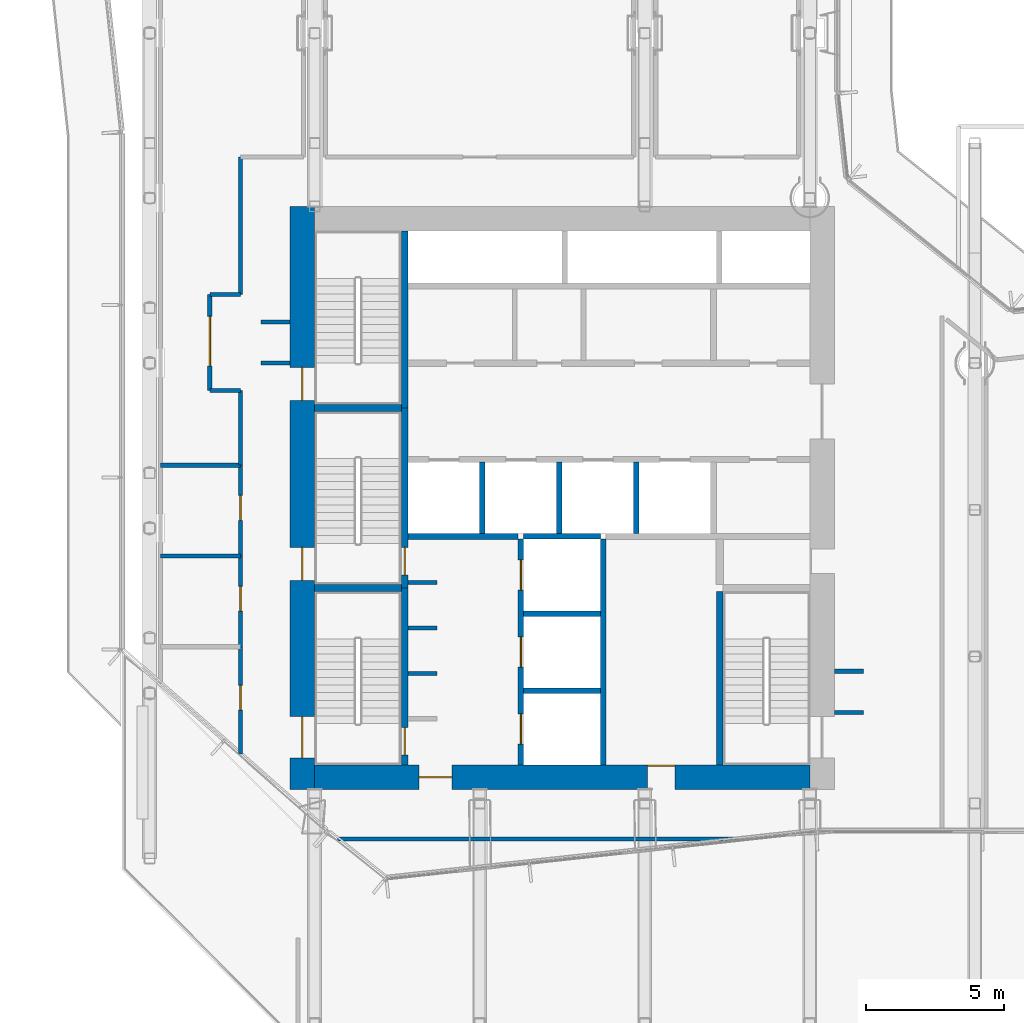
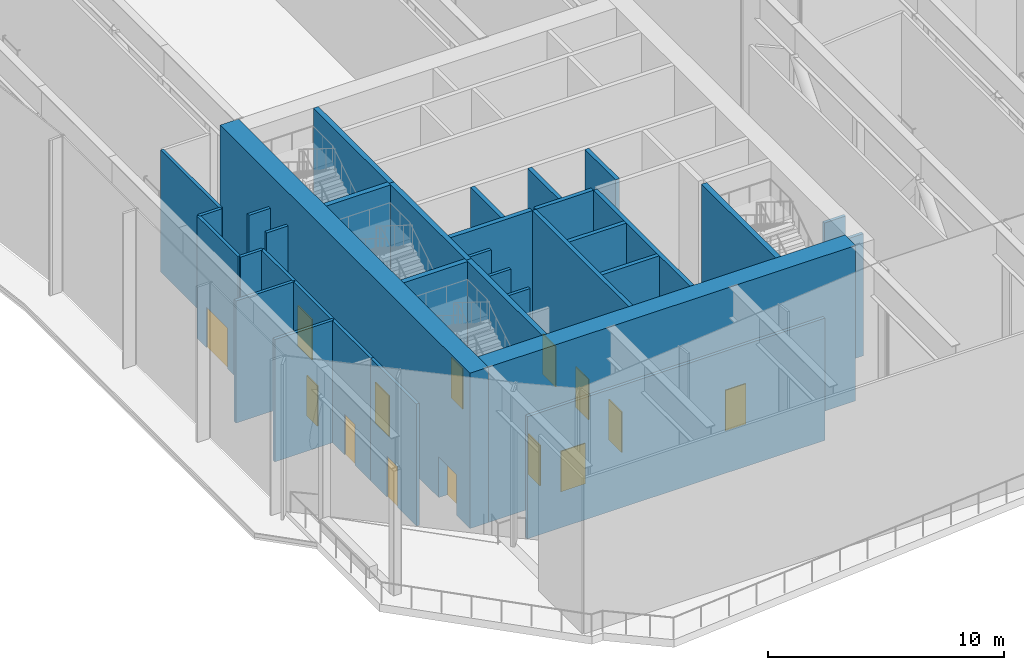
# One storey, part 14 of 25: 35 walls, 14 doors, 14 openings.
"""IFC4 building model written with IfcOpenShell, lengths in metres."""

from ifc_helpers import new_model, si_unit, direction, frame, frame_2d, origin, place, context, subcontext, project, spatial, rectangle, extrude, material, layer, layer_set, type_object, element, fill, save


model = new_model("IFC4")

# Units and contexts
model_context = context("Model", 3, precision=1e-05, world=origin(), true_north=direction((0.0, 1.0)))
body_context = subcontext(model_context, "Body", "Model", "MODEL_VIEW")
ifc_project = project(units=[si_unit("LENGTHUNIT", "METRE"), si_unit("AREAUNIT", "SQUARE_METRE"), si_unit("VOLUMEUNIT", "CUBIC_METRE"), si_unit("PLANEANGLEUNIT", "RADIAN"), si_unit("MASSUNIT", "GRAM", prefix="KILO")], contexts=[model_context])

# Site, building, storey
site_placement = place(None, origin())
site = spatial("IfcSite", under=ifc_project, at=site_placement, CompositionType="ELEMENT")
building_placement = place(site_placement, origin())
building = spatial("IfcBuilding", under=site, at=building_placement, Name="Welwitschia Terrace Campus", CompositionType="ELEMENT")
storey_placement = place(building_placement, frame((0.0, 0.0, 79.39990234375)))
storey = spatial("IfcBuildingStorey", under=building, at=storey_placement, Name="L18", CompositionType="ELEMENT", Elevation=79.39990234375)

# Walls
ifc_material_1 = material(Name="Concrete C32/40", Category="concrete")
ifc_layer_1 = layer(ifc_material_1, 0.22509765625)
ifc_layer_set_1 = layer_set([ifc_layer_1], Name="Concrete C32/40")
wall_type_1 = type_object("IfcWallType", Name="Core partition 225 Concrete C32/40", PredefinedType="PARTITIONING", material=ifc_layer_set_1)
wall_1_placement = place(storey_placement, frame((9.39990234375, 13.699951171875, 0.0), z_axis=(0.0, 0.0, 1.0), x_axis=(1.0, 0.0, 0.0)))
element("IfcWall", 1, at=wall_1_placement, inside=storey, type_object=wall_type_1, Name="Shaft wall", PredefinedType="PARTITIONING", context=body_context, shape_type="SweptSolid", body=[
    extrude(rectangle(XDim=4.0, YDim=0.22509765625, at=frame_2d((2.0, 0.0))), origin(), (0.0, 0.0, 1.0), 8.050048828125),
])
ifc_material_2 = material(Name="Concrete C50/60", Category="concrete")
ifc_layer_2 = layer(ifc_material_2, 0.14990234375)
ifc_layer_set_2 = layer_set([ifc_layer_2], Name="Concrete C50/60")
wall_type_2 = type_object("IfcWallType", Name="Core wall 150 Concrete C50/60", PredefinedType="SHEAR", material=ifc_layer_set_2)
for number, where, z_axis, x_axis, name in (
    (2, (9.39990234375, 8.72509765625, 0.0), (0.0, 0.0, 1.0), (1.0, 0.0, 0.0), "Core wall"),
    (3, (9.39990234375, 10.375, 0.0), (0.0, 0.0, 1.0), (1.0, 0.0, 0.0), "Core wall"),
    (4, (9.39990234375, 12.02490234375, 0.0), (0.0, 0.0, 1.0), (1.0, 0.0, 0.0), "Core wall"),
):
    element("IfcWall", number, at=place(storey_placement, frame(where, z_axis=z_axis, x_axis=x_axis)), inside=storey, type_object=wall_type_2, Name=name, PredefinedType="SHEAR", context=body_context, shape_type="SweptSolid", body=[
        extrude(rectangle(XDim=1.050048828125, YDim=0.14990234375, at=frame_2d((0.52490234375, 0.0))), origin(), (0.0, 0.0, 1.0), 8.050048828125),
    ])
ifc_material_3 = material(Name="Concrete C50/60", Category="concrete")
ifc_layer_3 = layer(ifc_material_3, 0.199951171875)
ifc_layer_set_3 = layer_set([ifc_layer_3], Name="Concrete C50/60")
wall_type_3 = type_object("IfcWallType", Name="Core wall 200 Concrete C50/60", PredefinedType="SHEAR", material=ifc_layer_set_3)
for number, where, z_axis, x_axis, name in (
    (5, (13.60009765625, 8.10009765625, 0.0), (0.0, 0.0, 1.0), (1.0, 0.0, 0.0), "Core wall"),
    (6, (13.60009765625, 10.89990234375, 0.0), (0.0, 0.0, 1.0), (1.0, 0.0, 0.0), "Core wall"),
    (7, (13.60009765625, 13.699951171875, 0.0), (0.0, 0.0, 1.0), (1.0, 0.0, 0.0), "Core wall"),
):
    element("IfcWall", number, at=place(storey_placement, frame(where, z_axis=z_axis, x_axis=x_axis)), inside=storey, type_object=wall_type_3, Name=name, PredefinedType="SHEAR", context=body_context, shape_type="SweptSolid", body=[
        extrude(rectangle(XDim=2.7998046875, YDim=0.199951171875, at=frame_2d((1.39990234375, 0.0))), origin(), (0.0, 0.0, 1.0), 8.050048828125),
    ])

# Wall, openings, doors
wall_2_placement = place(storey_placement, frame((13.5, 5.39990234375, 0.0), z_axis=(0.0, 0.0, 1.0), x_axis=(0.0, 1.0, 0.0)))
wall_2 = element("IfcWall", 8, at=wall_2_placement, inside=storey, type_object=wall_type_3, Name="Core wall", PredefinedType="SHEAR", context=body_context, shape_type="SweptSolid", body=[
    extrude(rectangle(XDim=8.2001953125, YDim=0.199951171875, at=frame_2d((4.10009765625, 0.0))), origin(), (0.0, 0.0, 1.0), 8.050048828125),
])
opening_1_placement = place(wall_2_placement, frame((0.75, 0.0, 0.0)))
opening_1 = element("IfcOpeningElement", 9, at=opening_1_placement, cuts=wall_2, Name="Opening LD", PredefinedType="OPENING", context=body_context, shape_type="SweptSolid", body=[
    extrude(rectangle(XDim=1.10009765625, YDim=2.10009765625, at=frame_2d((0.550048828125, 1.050048828125))), frame((0.0, 0.10986328125, 0.0), z_axis=(0.0, -1.0, 0.0), x_axis=(1.0, 0.0, 0.0)), (0.0, 0.0, 1.0), 0.219970703125),
])
opening_2_placement = place(wall_2_placement, frame((3.550048828125, 0.0, 0.0)))
opening_2 = element("IfcOpeningElement", 10, at=opening_2_placement, cuts=wall_2, Name="Opening LD", PredefinedType="OPENING", context=body_context, shape_type="SweptSolid", body=[
    extrude(rectangle(XDim=1.10009765625, YDim=2.10009765625, at=frame_2d((0.550048828125, 1.050048828125))), frame((0.0, 0.10986328125, 0.0), z_axis=(0.0, -1.0, 0.0), x_axis=(1.0, 0.0, 0.0)), (0.0, 0.0, 1.0), 0.219970703125),
])
opening_3_placement = place(wall_2_placement, frame((6.35009765625, 0.0, 0.0)))
opening_3 = element("IfcOpeningElement", 11, at=opening_3_placement, cuts=wall_2, Name="Opening LD", PredefinedType="OPENING", context=body_context, shape_type="SweptSolid", body=[
    extrude(rectangle(XDim=1.10009765625, YDim=2.10009765625, at=frame_2d((0.550048828125, 1.050048828125))), frame((0.0, 0.10986328125, 0.0), z_axis=(0.0, -1.0, 0.0), x_axis=(1.0, 0.0, 0.0)), (0.0, 0.0, 1.0), 0.219970703125),
])
ifc_material_4 = material(Name="Stainless steel 304", Category="steel")
door_type_1 = type_object("IfcDoorType", Name="Lift landing door", OperationType="DOUBLE_DOOR_SLIDING", PredefinedType="DOOR", material=ifc_material_4)
door_1_placement = place(opening_1_placement, origin())
door_1 = element("IfcDoor", 12, at=door_1_placement, inside=storey, type_object=door_type_1, Name="Landing door FF1", OperationType="DOUBLE_DOOR_SLIDING", OverallHeight=2.10009765625, OverallWidth=1.10009765625, PredefinedType="DOOR", context=body_context, shape_type="SweptSolid", body=[
    extrude(rectangle(XDim=1.10009765625, YDim=2.10009765625, at=frame_2d((0.550048828125, 1.050048828125))), frame((0.0, 0.02490234375, 0.0), z_axis=(0.0, -1.0, 0.0), x_axis=(1.0, 0.0, 0.0)), (0.0, 0.0, 1.0), 0.050048828125),
])
fill(opening_1, door_1)
door_2_placement = place(opening_2_placement, origin())
door_2 = element("IfcDoor", 13, at=door_2_placement, inside=storey, type_object=door_type_1, Name="Landing door FF2", OperationType="DOUBLE_DOOR_SLIDING", OverallHeight=2.10009765625, OverallWidth=1.10009765625, PredefinedType="DOOR", context=body_context, shape_type="SweptSolid", body=[
    extrude(rectangle(XDim=1.10009765625, YDim=2.10009765625, at=frame_2d((0.550048828125, 1.050048828125))), frame((0.0, 0.02490234375, 0.0), z_axis=(0.0, -1.0, 0.0), x_axis=(1.0, 0.0, 0.0)), (0.0, 0.0, 1.0), 0.050048828125),
])
fill(opening_2, door_2)
door_3_placement = place(opening_3_placement, origin())
door_3 = element("IfcDoor", 14, at=door_3_placement, inside=storey, type_object=door_type_1, Name="Landing door SV1", OperationType="DOUBLE_DOOR_SLIDING", OverallHeight=2.10009765625, OverallWidth=1.10009765625, PredefinedType="DOOR", context=body_context, shape_type="SweptSolid", body=[
    extrude(rectangle(XDim=1.10009765625, YDim=2.10009765625, at=frame_2d((0.550048828125, 1.050048828125))), frame((0.0, 0.02490234375, 0.0), z_axis=(0.0, -1.0, 0.0), x_axis=(1.0, 0.0, 0.0)), (0.0, 0.0, 1.0), 0.050048828125),
])
fill(opening_3, door_3)

# Walls
wall_3_placement = place(storey_placement, frame((16.5, 5.39990234375, 0.0), z_axis=(0.0, 0.0, 1.0), x_axis=(0.0, 1.0, 0.0)))
element("IfcWall", 15, at=wall_3_placement, inside=storey, type_object=wall_type_3, Name="Core wall", PredefinedType="SHEAR", context=body_context, shape_type="SweptSolid", body=[
    extrude(rectangle(XDim=8.2001953125, YDim=0.199951171875, at=frame_2d((4.10009765625, 0.0))), origin(), (0.0, 0.0, 1.0), 8.050048828125),
])
ifc_material_5 = material(Name="Concrete C50/60", Category="concrete")
ifc_layer_4 = layer(ifc_material_5, 0.25)
ifc_layer_set_4 = layer_set([ifc_layer_4], Name="Concrete C50/60")
wall_type_4 = type_object("IfcWallType", Name="Core wall 250 Concrete C50/60", PredefinedType="SHEAR", material=ifc_layer_set_4)
for number, where, z_axis, x_axis, name in (
    (16, (6.0, 11.824951171875, 0.0), (0.0, 0.0, 1.0), (1.0, 0.0, 0.0), "Core wall"),
    (17, (6.0, 18.375, 0.0), (0.0, 0.0, 1.0), (1.0, 0.0, 0.0), "Core wall"),
):
    element("IfcWall", number, at=place(storey_placement, frame(where, z_axis=z_axis, x_axis=x_axis)), inside=storey, type_object=wall_type_4, Name=name, PredefinedType="SHEAR", context=body_context, shape_type="SweptSolid", body=[
        extrude(rectangle(XDim=3.14990234375, YDim=0.25, at=frame_2d((1.574951171875, 0.0))), origin(), (0.0, 0.0, 1.0), 8.050048828125),
    ])

# Wall, opening, door
wall_4_placement = place(storey_placement, frame((9.27490234375, 11.824951171875, 0.0), z_axis=(0.0, 0.0, 1.0), x_axis=(0.0, -1.0, 0.0)))
wall_4 = element("IfcWall", 18, at=wall_4_placement, inside=storey, type_object=wall_type_4, Name="Core wall", PredefinedType="SHEAR", context=body_context, shape_type="SweptSolid", body=[
    extrude(rectangle(XDim=6.425048828125, YDim=0.25, at=frame_2d((3.21240234375, 0.0))), origin(), (0.0, 0.0, 1.0), 8.050048828125),
])
opening_4_placement = place(wall_4_placement, frame((5.074951171875, 0.0, 0.0)))
opening_4 = element("IfcOpeningElement", 19, at=opening_4_placement, cuts=wall_4, Name="Opening DS10", PredefinedType="OPENING", context=body_context, shape_type="SweptSolid", body=[
    extrude(rectangle(XDim=1.0, YDim=2.10009765625, at=frame_2d((0.5, 1.050048828125))), frame((0.0, 0.135009765625, 0.0), z_axis=(0.0, -1.0, 0.0), x_axis=(1.0, 0.0, 0.0)), (0.0, 0.0, 1.0), 0.27001953125),
])
ifc_material_6 = material(Name="Steel S275", Category="steel")
door_type_2 = type_object("IfcDoorType", Name="Core door DS10", OperationType="SINGLE_SWING_LEFT", PredefinedType="DOOR", material=ifc_material_6)
door_4_placement = place(opening_4_placement, origin())
door_4 = element("IfcDoor", 20, at=door_4_placement, inside=storey, type_object=door_type_2, Name="Door S1-FL", OperationType="SINGLE_SWING_RIGHT", OverallHeight=2.10009765625, OverallWidth=1.0, PredefinedType="DOOR", context=body_context, shape_type="SweptSolid", body=[
    extrude(rectangle(XDim=1.0, YDim=2.10009765625, at=frame_2d((0.5, 1.050048828125))), frame((0.0, 0.02490234375, 0.0), z_axis=(0.0, -1.0, 0.0), x_axis=(1.0, 0.0, 0.0)), (0.0, 0.0, 1.0), 0.050048828125),
])
fill(opening_4, door_4)

wall_5_placement = place(storey_placement, frame((9.27490234375, 18.375, 0.0), z_axis=(0.0, 0.0, 1.0), x_axis=(0.0, -1.0, 0.0)))
wall_5 = element("IfcWall", 21, at=wall_5_placement, inside=storey, type_object=wall_type_4, Name="Core wall", PredefinedType="SHEAR", context=body_context, shape_type="SweptSolid", body=[
    extrude(rectangle(XDim=6.550048828125, YDim=0.25, at=frame_2d((3.27490234375, 0.0))), origin(), (0.0, 0.0, 1.0), 8.050048828125),
])
opening_5_placement = place(wall_5_placement, frame((5.074951171875, 0.0, 0.0)))
opening_5 = element("IfcOpeningElement", 22, at=opening_5_placement, cuts=wall_5, Name="Opening DS10", PredefinedType="OPENING", context=body_context, shape_type="SweptSolid", body=[
    extrude(rectangle(XDim=1.0, YDim=2.10009765625, at=frame_2d((0.5, 1.050048828125))), frame((0.0, 0.135009765625, 0.0), z_axis=(0.0, -1.0, 0.0), x_axis=(1.0, 0.0, 0.0)), (0.0, 0.0, 1.0), 0.27001953125),
])
door_5_placement = place(opening_5_placement, origin())
door_5 = element("IfcDoor", 23, at=door_5_placement, inside=storey, type_object=door_type_2, Name="Door S3-FL", OperationType="SINGLE_SWING_RIGHT", OverallHeight=2.10009765625, OverallWidth=1.0, PredefinedType="DOOR", context=body_context, shape_type="SweptSolid", body=[
    extrude(rectangle(XDim=1.0, YDim=2.10009765625, at=frame_2d((0.5, 1.050048828125))), frame((0.0, 0.02490234375, 0.0), z_axis=(0.0, -1.0, 0.0), x_axis=(1.0, 0.0, 0.0)), (0.0, 0.0, 1.0), 0.050048828125),
])
fill(opening_5, door_5)

# Walls
wall_6_placement = place(storey_placement, frame((9.27490234375, 18.375, 0.0), z_axis=(0.0, 0.0, 1.0), x_axis=(0.0, 1.0, 0.0)))
element("IfcWall", 24, at=wall_6_placement, inside=storey, type_object=wall_type_4, Name="Core wall", PredefinedType="SHEAR", context=body_context, shape_type="SweptSolid", body=[
    extrude(rectangle(XDim=6.425048828125, YDim=0.25, at=frame_2d((3.21240234375, 0.0))), origin(), (0.0, 0.0, 1.0), 8.050048828125),
])
wall_7_placement = place(storey_placement, frame((20.72509765625, 5.39990234375, 0.0), z_axis=(0.0, 0.0, 1.0), x_axis=(0.0, 1.0, 0.0)))
element("IfcWall", 25, at=wall_7_placement, inside=storey, type_object=wall_type_4, Name="Core wall", PredefinedType="SHEAR", context=body_context, shape_type="SweptSolid", body=[
    extrude(rectangle(XDim=6.300048828125, YDim=0.25, at=frame_2d((3.14990234375, 0.0))), origin(), (0.0, 0.0, 1.0), 8.050048828125),
])

# Wall, openings, doors
ifc_material_7 = material(Name="Concrete C70/85", Category="concrete")
ifc_layer_5 = layer(ifc_material_7, 0.89990234375)
ifc_layer_set_5 = layer_set([ifc_layer_5], Name="Concrete C70/85")
wall_type_5 = type_object("IfcWallType", Name="Core wall 900 Concrete C70/85", PredefinedType="SHEAR", material=ifc_layer_set_5)
wall_8_placement = place(storey_placement, frame((5.550048828125, 4.5, 0.0), z_axis=(0.0, 0.0, 1.0), x_axis=(0.0, 1.0, 0.0)))
wall_8 = element("IfcWall", 26, at=wall_8_placement, inside=storey, type_object=wall_type_5, Name="Core outer wall", PredefinedType="SHEAR", context=body_context, shape_type="SweptSolid", body=[
    extrude(rectangle(XDim=21.199951171875, YDim=0.89990234375, at=frame_2d((10.60009765625, 0.0))), origin(), (0.0, 0.0, 1.0), 8.050048828125),
])
opening_6_placement = place(wall_8_placement, frame((1.14990234375, 0.0, 0.0)))
opening_6 = element("IfcOpeningElement", 27, at=opening_6_placement, cuts=wall_8, Name="Opening DS15", PredefinedType="OPENING", context=body_context, shape_type="SweptSolid", body=[
    extrude(rectangle(XDim=1.5, YDim=2.10009765625, at=frame_2d((0.75, 1.050048828125))), frame((0.0, 0.4599609375, 0.0), z_axis=(0.0, -1.0, 0.0), x_axis=(1.0, 0.0, 0.0)), (0.0, 0.0, 1.0), 0.919921875),
])
opening_7_placement = place(wall_8_placement, frame((7.60009765625, 0.0, 0.0)))
opening_7 = element("IfcOpeningElement", 28, at=opening_7_placement, cuts=wall_8, Name="Opening DS12", PredefinedType="OPENING", context=body_context, shape_type="SweptSolid", body=[
    extrude(rectangle(XDim=1.199951171875, YDim=2.10009765625, at=frame_2d((0.60009765625, 1.050048828125))), frame((0.0, 0.4599609375, 0.0), z_axis=(0.0, -1.0, 0.0), x_axis=(1.0, 0.0, 0.0)), (0.0, 0.0, 1.0), 0.919921875),
])
opening_8_placement = place(wall_8_placement, frame((14.14990234375, 0.0, 0.0)))
opening_8 = element("IfcOpeningElement", 29, at=opening_8_placement, cuts=wall_8, Name="Opening DS12", PredefinedType="OPENING", context=body_context, shape_type="SweptSolid", body=[
    extrude(rectangle(XDim=1.199951171875, YDim=2.10009765625, at=frame_2d((0.60009765625, 1.050048828125))), frame((0.0, 0.4599609375, 0.0), z_axis=(0.0, -1.0, 0.0), x_axis=(1.0, 0.0, 0.0)), (0.0, 0.0, 1.0), 0.919921875),
])
ifc_material_8 = material(Name="Steel S275", Category="steel")
door_type_3 = type_object("IfcDoorType", Name="Core door DS12", OperationType="SINGLE_SWING_LEFT", PredefinedType="DOOR", material=ifc_material_8)
door_6_placement = place(opening_7_placement, origin())
door_6 = element("IfcDoor", 30, at=door_6_placement, inside=storey, type_object=door_type_3, Name="Door S3-out", OperationType="SINGLE_SWING_LEFT", OverallHeight=2.10009765625, OverallWidth=1.199951171875, PredefinedType="DOOR", context=body_context, shape_type="SweptSolid", body=[
    extrude(rectangle(XDim=1.199951171875, YDim=2.10009765625, at=frame_2d((0.60009765625, 1.050048828125))), frame((0.0, 0.02490234375, 0.0), z_axis=(0.0, -1.0, 0.0), x_axis=(1.0, 0.0, 0.0)), (0.0, 0.0, 1.0), 0.050048828125),
])
fill(opening_7, door_6)
door_7_placement = place(opening_8_placement, origin())
door_7 = element("IfcDoor", 31, at=door_7_placement, inside=storey, type_object=door_type_3, Name="Door S4-out", OperationType="SINGLE_SWING_RIGHT", OverallHeight=2.10009765625, OverallWidth=1.199951171875, PredefinedType="DOOR", context=body_context, shape_type="SweptSolid", body=[
    extrude(rectangle(XDim=1.199951171875, YDim=2.10009765625, at=frame_2d((0.60009765625, 1.050048828125))), frame((0.0, 0.02490234375, 0.0), z_axis=(0.0, -1.0, 0.0), x_axis=(1.0, 0.0, 0.0)), (0.0, 0.0, 1.0), 0.050048828125),
])
fill(opening_8, door_7)
ifc_material_9 = material(Name="Steel S275", Category="steel")
door_type_4 = type_object("IfcDoorType", Name="Core door DS15", OperationType="DOUBLE_DOOR_SINGLE_SWING", PredefinedType="DOOR", material=ifc_material_9)
door_8_placement = place(opening_6_placement, origin())
door_8 = element("IfcDoor", 32, at=door_8_placement, inside=storey, type_object=door_type_4, Name="Door S1-out", OperationType="DOUBLE_DOOR_SINGLE_SWING", OverallHeight=2.10009765625, OverallWidth=1.5, PredefinedType="DOOR", context=body_context, shape_type="SweptSolid", body=[
    extrude(rectangle(XDim=1.5, YDim=2.10009765625, at=frame_2d((0.75, 1.050048828125))), frame((0.0, 0.02490234375, 0.0), z_axis=(0.0, -1.0, 0.0), x_axis=(1.0, 0.0, 0.0)), (0.0, 0.0, 1.0), 0.050048828125),
])
fill(opening_6, door_8)

wall_9_placement = place(storey_placement, frame((24.0, 4.949951171875, 0.0), z_axis=(0.0, 0.0, 1.0), x_axis=(-1.0, 0.0, 0.0)))
wall_9 = element("IfcWall", 33, at=wall_9_placement, inside=storey, type_object=wall_type_5, Name="Core outer wall", PredefinedType="SHEAR", context=body_context, shape_type="SweptSolid", body=[
    extrude(rectangle(XDim=18.0, YDim=0.89990234375, at=frame_2d((9.0, 0.0))), origin(), (0.0, 0.0, 1.0), 8.050048828125),
])
opening_9_placement = place(wall_9_placement, frame((13.0, 0.0, 0.0)))
opening_9 = element("IfcOpeningElement", 34, at=opening_9_placement, cuts=wall_9, Name="Opening DF12", PredefinedType="OPENING", context=body_context, shape_type="SweptSolid", body=[
    extrude(rectangle(XDim=1.199951171875, YDim=2.10009765625, at=frame_2d((0.60009765625, 1.050048828125))), frame((0.0, 0.4599609375, 0.0), z_axis=(0.0, -1.0, 0.0), x_axis=(1.0, 0.0, 0.0)), (0.0, 0.0, 1.0), 0.919921875),
])
opening_10_placement = place(wall_9_placement, frame((4.89990234375, 0.0, 0.0)))
opening_10 = element("IfcOpeningElement", 35, at=opening_10_placement, cuts=wall_9, Name="Opening DR10", PredefinedType="OPENING", context=body_context, shape_type="SweptSolid", body=[
    extrude(rectangle(XDim=1.0, YDim=2.10009765625, at=frame_2d((0.5, 1.050048828125))), frame((0.0, 0.4599609375, 0.0), z_axis=(0.0, -1.0, 0.0), x_axis=(1.0, 0.0, 0.0)), (0.0, 0.0, 1.0), 0.919921875),
])
ifc_material_10 = material(Name="Steel S275", Category="steel")
door_type_5 = type_object("IfcDoorType", Name="Core door DF12", OperationType="SINGLE_SWING_LEFT", PredefinedType="DOOR", material=ifc_material_10)
door_9_placement = place(opening_9_placement, origin())
door_9 = element("IfcDoor", 36, at=door_9_placement, inside=storey, type_object=door_type_5, Name="Door FL-out", OperationType="SINGLE_SWING_RIGHT", OverallHeight=2.10009765625, OverallWidth=1.199951171875, PredefinedType="DOOR", context=body_context, shape_type="SweptSolid", body=[
    extrude(rectangle(XDim=1.199951171875, YDim=2.10009765625, at=frame_2d((0.60009765625, 1.050048828125))), frame((0.0, 0.02490234375, 0.0), z_axis=(0.0, -1.0, 0.0), x_axis=(1.0, 0.0, 0.0)), (0.0, 0.0, 1.0), 0.050048828125),
])
fill(opening_9, door_9)
ifc_material_11 = material(Name="Steel S275", Category="steel")
door_type_6 = type_object("IfcDoorType", Name="Core door DR10", OperationType="SINGLE_SWING_LEFT", PredefinedType="DOOR", material=ifc_material_11)
door_10_placement = place(opening_10_placement, origin())
door_10 = element("IfcDoor", 37, at=door_10_placement, inside=storey, type_object=door_type_6, Name="Door F1-out", OperationType="SINGLE_SWING_LEFT", OverallHeight=2.10009765625, OverallWidth=1.0, PredefinedType="DOOR", context=body_context, shape_type="SweptSolid", body=[
    extrude(rectangle(XDim=1.0, YDim=2.10009765625, at=frame_2d((0.5, 1.050048828125))), frame((0.0, -0.39013671875, 0.0), z_axis=(0.0, -1.0, 0.0), x_axis=(1.0, 0.0, 0.0)), (0.0, 0.0, 1.0), 0.050048828125),
])
fill(opening_10, door_10)

# Walls
ifc_material_12 = material(Name="Gypsum board on steel studs", Category="steel")
ifc_layer_6 = layer(ifc_material_12, 0.14990234375)
ifc_layer_set_6 = layer_set([ifc_layer_6], Name="Gypsum board on steel studs")
wall_type_6 = type_object("IfcWallType", Name="Corridor partition 150 EI 30", PredefinedType="PARTITIONING", material=ifc_layer_set_6)
for number, where, z_axis, x_axis, name in (
    (38, (0.39990234375, 12.989990234375, 0.0), (0.0, 0.0, 1.0), (1.0, 0.0, 0.0), "Partition"),
    (39, (0.39990234375, 16.2900390625, 0.0), (0.0, 0.0, 1.0), (1.0, 0.0, 0.0), "Partition"),
):
    element("IfcWall", number, at=place(storey_placement, frame(where, z_axis=z_axis, x_axis=x_axis)), inside=storey, type_object=wall_type_6, Name=name, PredefinedType="PARTITIONING", context=body_context, shape_type="SweptSolid", body=[
        extrude(rectangle(XDim=2.900146484375, YDim=0.14990234375, at=frame_2d((1.4501953125, 0.0))), origin(), (0.0, 0.0, 1.0), 6.330078125),
    ])

# Wall, opening, door
wall_10_placement = place(storey_placement, frame((2.18994140625, 19.0, 0.0), z_axis=(0.0, 0.0, 1.0), x_axis=(0.0, 1.0, 0.0)))
wall_10 = element("IfcWall", 40, at=wall_10_placement, inside=storey, type_object=wall_type_6, Name="Partition", PredefinedType="PARTITIONING", context=body_context, shape_type="SweptSolid", body=[
    extrude(rectangle(XDim=3.5, YDim=0.14990234375, at=frame_2d((1.75, 0.0))), origin(), (0.0, 0.0, 1.0), 6.330078125),
])
opening_11_placement = place(wall_10_placement, frame((0.89990234375, 0.0, 0.0)))
opening_11 = element("IfcOpeningElement", 41, at=opening_11_placement, cuts=wall_10, Name="Opening DI18", PredefinedType="OPENING", context=body_context, shape_type="SweptSolid", body=[
    extrude(rectangle(XDim=1.800048828125, YDim=2.10009765625, at=frame_2d((0.89990234375, 1.050048828125))), frame((0.0, 0.0849609375, 0.0), z_axis=(0.0, -1.0, 0.0), x_axis=(1.0, 0.0, 0.0)), (0.0, 0.0, 1.0), 0.169921875),
])
ifc_material_13 = material(Name="Timber veneered door", Category="wood")
door_type_7 = type_object("IfcDoorType", Name="Interior door DI18", OperationType="DOUBLE_DOOR_SINGLE_SWING", PredefinedType="DOOR", material=ifc_material_13)
door_11_placement = place(opening_11_placement, origin())
door_11 = element("IfcDoor", 42, at=door_11_placement, inside=storey, type_object=door_type_7, Name="Door L18 409", OperationType="SINGLE_SWING_LEFT", OverallHeight=2.10009765625, OverallWidth=1.800048828125, PredefinedType="DOOR", context=body_context, shape_type="SweptSolid", body=[
    extrude(rectangle(XDim=1.800048828125, YDim=2.10009765625, at=frame_2d((0.89990234375, 1.050048828125))), frame((0.0, 0.02490234375, 0.0), z_axis=(0.0, -1.0, 0.0), x_axis=(1.0, 0.0, 0.0)), (0.0, 0.0, 1.0), 0.050048828125),
])
fill(opening_11, door_11)

# Walls
for number, where, z_axis, x_axis, name in (
    (43, (2.18994140625, 19.0, 0.0), (0.0, 0.0, 1.0), (1.0, 0.0, 0.0), "Partition"),
    (44, (2.18994140625, 22.5, 0.0), (0.0, 0.0, 1.0), (1.0, 0.0, 0.0), "Partition"),
):
    element("IfcWall", number, at=place(storey_placement, frame(where, z_axis=z_axis, x_axis=x_axis)), inside=storey, type_object=wall_type_6, Name=name, PredefinedType="PARTITIONING", context=body_context, shape_type="SweptSolid", body=[
        extrude(rectangle(XDim=1.110107421875, YDim=0.14990234375, at=frame_2d((0.55517578125, 0.0))), origin(), (0.0, 0.0, 1.0), 6.330078125),
    ])

# Wall, opening, door
wall_11_placement = place(storey_placement, frame((3.300048828125, 5.7900390625, 0.0), z_axis=(0.0, 0.0, 1.0), x_axis=(0.0, 1.0, 0.0)))
wall_11 = element("IfcWall", 45, at=wall_11_placement, inside=storey, type_object=wall_type_6, Name="Partition", PredefinedType="PARTITIONING", context=body_context, shape_type="SweptSolid", body=[
    extrude(rectangle(XDim=3.89990234375, YDim=0.14990234375, at=frame_2d((1.949951171875, 0.0))), origin(), (0.0, 0.0, 1.0), 6.330078125),
])
opening_12_placement = place(wall_11_placement, frame((1.60009765625, 0.0, 0.0)))
opening_12 = element("IfcOpeningElement", 46, at=opening_12_placement, cuts=wall_11, Name="Opening DI09", PredefinedType="OPENING", context=body_context, shape_type="SweptSolid", body=[
    extrude(rectangle(XDim=0.89990234375, YDim=2.10009765625, at=frame_2d((0.449951171875, 1.050048828125))), frame((0.0, 0.0849609375, 0.0), z_axis=(0.0, -1.0, 0.0), x_axis=(1.0, 0.0, 0.0)), (0.0, 0.0, 1.0), 0.169921875),
])
ifc_material_14 = material(Name="Timber veneered door", Category="wood")
door_type_8 = type_object("IfcDoorType", Name="Interior door DI09", OperationType="NOTDEFINED", PredefinedType="DOOR", material=ifc_material_14)
door_12_placement = place(opening_12_placement, origin())
door_12 = element("IfcDoor", 47, at=door_12_placement, inside=storey, type_object=door_type_8, Name="Door L18 410", OperationType="SINGLE_SWING_LEFT", OverallHeight=2.10009765625, OverallWidth=0.89990234375, PredefinedType="DOOR", context=body_context, shape_type="SweptSolid", body=[
    extrude(rectangle(XDim=0.89990234375, YDim=2.10009765625, at=frame_2d((0.449951171875, 1.050048828125))), frame((0.0, 0.02490234375, 0.0), z_axis=(0.0, -1.0, 0.0), x_axis=(1.0, 0.0, 0.0)), (0.0, 0.0, 1.0), 0.050048828125),
])
fill(opening_12, door_12)

wall_12_placement = place(storey_placement, frame((3.300048828125, 9.68994140625, 0.0), z_axis=(0.0, 0.0, 1.0), x_axis=(0.0, 1.0, 0.0)))
wall_12 = element("IfcWall", 48, at=wall_12_placement, inside=storey, type_object=wall_type_6, Name="Partition", PredefinedType="PARTITIONING", context=body_context, shape_type="SweptSolid", body=[
    extrude(rectangle(XDim=3.300048828125, YDim=0.14990234375, at=frame_2d((1.64990234375, 0.0))), origin(), (0.0, 0.0, 1.0), 6.330078125),
])
opening_13_placement = place(wall_12_placement, frame((1.300048828125, 0.0, 0.0)))
opening_13 = element("IfcOpeningElement", 49, at=opening_13_placement, cuts=wall_12, Name="Opening DI09", PredefinedType="OPENING", context=body_context, shape_type="SweptSolid", body=[
    extrude(rectangle(XDim=0.89990234375, YDim=2.10009765625, at=frame_2d((0.449951171875, 1.050048828125))), frame((0.0, 0.0849609375, 0.0), z_axis=(0.0, -1.0, 0.0), x_axis=(1.0, 0.0, 0.0)), (0.0, 0.0, 1.0), 0.169921875),
])
door_13_placement = place(opening_13_placement, origin())
door_13 = element("IfcDoor", 50, at=door_13_placement, inside=storey, type_object=door_type_8, Name="Door L18 411", OperationType="SINGLE_SWING_RIGHT", OverallHeight=2.10009765625, OverallWidth=0.89990234375, PredefinedType="DOOR", context=body_context, shape_type="SweptSolid", body=[
    extrude(rectangle(XDim=0.89990234375, YDim=2.10009765625, at=frame_2d((0.449951171875, 1.050048828125))), frame((0.0, 0.02490234375, 0.0), z_axis=(0.0, -1.0, 0.0), x_axis=(1.0, 0.0, 0.0)), (0.0, 0.0, 1.0), 0.050048828125),
])
fill(opening_13, door_13)

wall_13_placement = place(storey_placement, frame((3.300048828125, 12.989990234375, 0.0), z_axis=(0.0, 0.0, 1.0), x_axis=(0.0, 1.0, 0.0)))
wall_13 = element("IfcWall", 51, at=wall_13_placement, inside=storey, type_object=wall_type_6, Name="Partition", PredefinedType="PARTITIONING", context=body_context, shape_type="SweptSolid", body=[
    extrude(rectangle(XDim=3.300048828125, YDim=0.14990234375, at=frame_2d((1.64990234375, 0.0))), origin(), (0.0, 0.0, 1.0), 6.330078125),
])
opening_14_placement = place(wall_13_placement, frame((1.300048828125, 0.0, 0.0)))
opening_14 = element("IfcOpeningElement", 52, at=opening_14_placement, cuts=wall_13, Name="Opening DI09", PredefinedType="OPENING", context=body_context, shape_type="SweptSolid", body=[
    extrude(rectangle(XDim=0.89990234375, YDim=2.10009765625, at=frame_2d((0.449951171875, 1.050048828125))), frame((0.0, 0.0849609375, 0.0), z_axis=(0.0, -1.0, 0.0), x_axis=(1.0, 0.0, 0.0)), (0.0, 0.0, 1.0), 0.169921875),
])
door_14_placement = place(opening_14_placement, origin())
door_14 = element("IfcDoor", 53, at=door_14_placement, inside=storey, type_object=door_type_8, Name="Door L18 412", OperationType="SINGLE_SWING_LEFT", OverallHeight=2.10009765625, OverallWidth=0.89990234375, PredefinedType="DOOR", context=body_context, shape_type="SweptSolid", body=[
    extrude(rectangle(XDim=0.89990234375, YDim=2.10009765625, at=frame_2d((0.449951171875, 1.050048828125))), frame((0.0, 0.02490234375, 0.0), z_axis=(0.0, -1.0, 0.0), x_axis=(1.0, 0.0, 0.0)), (0.0, 0.0, 1.0), 0.050048828125),
])
fill(opening_14, door_14)

# Walls
wall_14_placement = place(storey_placement, frame((3.300048828125, 16.2900390625, 0.0), z_axis=(0.0, 0.0, 1.0), x_axis=(0.0, 1.0, 0.0)))
element("IfcWall", 54, at=wall_14_placement, inside=storey, type_object=wall_type_6, Name="Partition", PredefinedType="PARTITIONING", context=body_context, shape_type="SweptSolid", body=[
    extrude(rectangle(XDim=2.7099609375, YDim=0.14990234375, at=frame_2d((1.35498046875, 0.0))), origin(), (0.0, 0.0, 1.0), 6.330078125),
])
wall_15_placement = place(storey_placement, frame((3.300048828125, 22.5, 0.0), z_axis=(0.0, 0.0, 1.0), x_axis=(0.0, 1.0, 0.0)))
element("IfcWall", 55, at=wall_15_placement, inside=storey, type_object=wall_type_6, Name="Partition", PredefinedType="PARTITIONING", context=body_context, shape_type="SweptSolid", body=[
    extrude(rectangle(XDim=5.0, YDim=0.14990234375, at=frame_2d((2.5, 0.0))), origin(), (0.0, 0.0, 1.0), 6.330078125),
])
for number, where, z_axis, x_axis, name in (
    (56, (4.050048828125, 20.0, 0.0), (0.0, 0.0, 1.0), (1.0, 0.0, 0.0), "Partition"),
    (57, (4.050048828125, 21.5, 0.0), (0.0, 0.0, 1.0), (1.0, 0.0, 0.0), "Partition"),
):
    element("IfcWall", number, at=place(storey_placement, frame(where, z_axis=z_axis, x_axis=x_axis)), inside=storey, type_object=wall_type_6, Name=name, PredefinedType="PARTITIONING", context=body_context, shape_type="SweptSolid", body=[
        extrude(rectangle(XDim=1.050048828125, YDim=0.14990234375, at=frame_2d((0.52490234375, 0.0))), origin(), (0.0, 0.0, 1.0), 6.330078125),
    ])
wall_16_placement = place(storey_placement, frame((6.830078125, 2.699951171875, 0.0), z_axis=(0.0, 0.0, 1.0), x_axis=(1.0, 0.0, 0.0)))
element("IfcWall", 58, at=wall_16_placement, inside=storey, type_object=wall_type_6, Name="Partition", PredefinedType="PARTITIONING", context=body_context, shape_type="SweptSolid", body=[
    extrude(rectangle(XDim=14.575439453125, YDim=0.14990234375, at=frame_2d((7.28759765625, 0.0))), origin(), (0.0, 0.0, 1.0), 6.330078125),
])
for number, where, z_axis, x_axis, name in (
    (59, (24.89990234375, 7.300048828125, 0.0), (0.0, 0.0, 1.0), (1.0, 0.0, 0.0), "Partition"),
    (60, (24.89990234375, 8.800048828125, 0.0), (0.0, 0.0, 1.0), (1.0, 0.0, 0.0), "Partition"),
):
    element("IfcWall", number, at=place(storey_placement, frame(where, z_axis=z_axis, x_axis=x_axis)), inside=storey, type_object=wall_type_6, Name=name, PredefinedType="PARTITIONING", context=body_context, shape_type="SweptSolid", body=[
        extrude(rectangle(XDim=1.050048828125, YDim=0.14990234375, at=frame_2d((0.52490234375, 0.0))), origin(), (0.0, 0.0, 1.0), 6.330078125),
    ])
ifc_material_15 = material(Name="Concrete C32/40", Category="concrete")
ifc_layer_7 = layer(ifc_material_15, 0.199951171875)
ifc_layer_set_7 = layer_set([ifc_layer_7], Name="Concrete C32/40")
wall_type_7 = type_object("IfcWallType", Name="Shaft wall 200 Concrete C32/40", PredefinedType="SOLIDWALL", material=ifc_layer_set_7)
for number, where, z_axis, x_axis, name in (
    (61, (12.10009765625, 13.800048828125, 0.0), (0.0, 0.0, 1.0), (0.0, 1.0, 0.0), "Shaft wall"),
    (62, (14.89990234375, 13.800048828125, 0.0), (0.0, 0.0, 1.0), (0.0, 1.0, 0.0), "Shaft wall"),
    (63, (17.699951171875, 13.800048828125, 0.0), (0.0, 0.0, 1.0), (0.0, 1.0, 0.0), "Shaft wall"),
):
    element("IfcWall", number, at=place(storey_placement, frame(where, z_axis=z_axis, x_axis=x_axis)), inside=storey, type_object=wall_type_7, Name=name, PredefinedType="SOLIDWALL", context=body_context, shape_type="SweptSolid", body=[
        extrude(rectangle(XDim=2.599853515625, YDim=0.199951171875, at=frame_2d((1.2998046875, 0.0))), origin(), (0.0, 0.0, 1.0), 8.050048828125),
    ])

save(model, "model.ifc")
